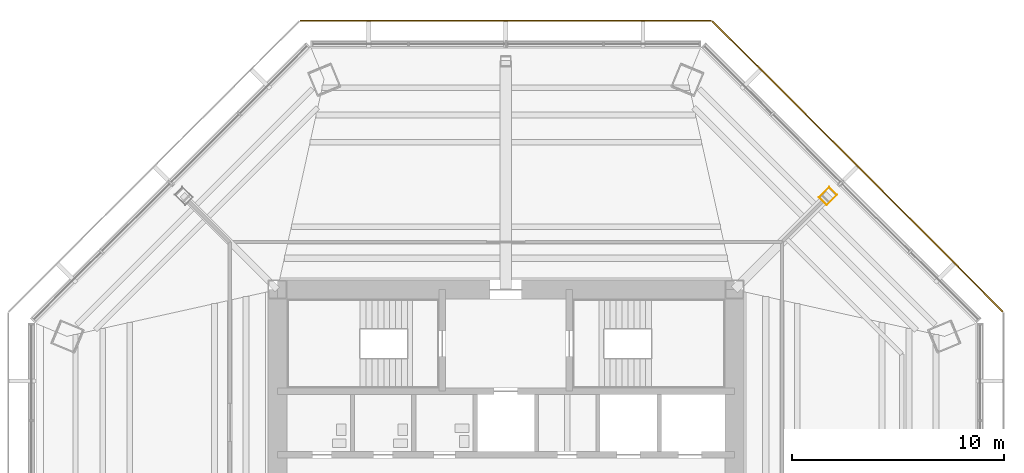
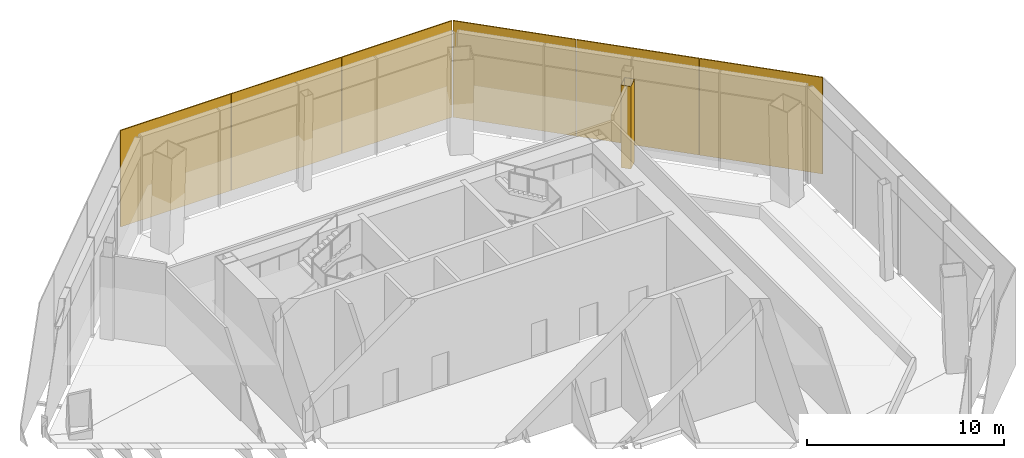
# One storey, part 11 of 13: 6 shading devices, 1 covering.
"""IFC4 building model written with IfcOpenShell, lengths in metres."""

from ifc_helpers import new_model, si_unit, direction, frame, origin, origin_2d, place, context, subcontext, project, spatial, polyline, rectangle, outline, extrude, source, transform, mapped, material, layer, layer_set, type_object, type_shapes, element, save


model = new_model("IFC4")

# Units and contexts
model_context = context("Model", 3, precision=1e-05, world=origin(), true_north=direction((0.0, 1.0)))
body_context = subcontext(model_context, "Body", "Model", "MODEL_VIEW")
ifc_project = project(units=[si_unit("LENGTHUNIT", "METRE"), si_unit("AREAUNIT", "SQUARE_METRE"), si_unit("VOLUMEUNIT", "CUBIC_METRE"), si_unit("PLANEANGLEUNIT", "RADIAN"), si_unit("MASSUNIT", "GRAM", prefix="KILO")], contexts=[model_context])

# Site, building, storey
site_placement = place(None, origin())
site = spatial("IfcSite", under=ifc_project, at=site_placement, CompositionType="ELEMENT")
building_placement = place(site_placement, origin())
building = spatial("IfcBuilding", under=site, at=building_placement, Name="Mashrafa Tower", CompositionType="ELEMENT")
storey_placement = place(building_placement, frame((0.0, 0.0, 198.0)))
storey = spatial("IfcBuildingStorey", under=building, at=storey_placement, Name="L45", CompositionType="ELEMENT", Elevation=198.0)

# Covering
ifc_material_1 = material(Name="Gypsum board")
ifc_layer_1 = layer(ifc_material_1, 0.014892578125)
ifc_layer_set_1 = layer_set([ifc_layer_1], Name="Column casing plasterboard 15")
covering_type = type_object("IfcCoveringType", Name="Column casing plasterboard 15", PredefinedType="CLADDING", material=ifc_layer_set_1)
covering_placement = place(storey_placement, origin())
element("IfcCovering", 1, at=covering_placement, inside=storey, type_object=covering_type, Name="Column casing L45-001", PredefinedType="CLADDING", context=body_context, shape_type="SweptSolid", body=[
    extrude(outline(polyline([(14.788330078125, 15.1630859375), (15.283203125, 15.657958984375), (15.657958984375, 15.283203125), (15.1630859375, 14.788330078125), (14.788330078125, 15.1630859375)]), holes=[polyline([(15.63671875, 15.283203125), (15.283203125, 15.63671875), (14.8095703125, 15.1630859375), (15.1630859375, 14.8095703125), (15.63671875, 15.283203125)])]), origin(), (0.0, 0.0, 1.0), 5.11181640625),
])

# Shading devices
ifc_material_2 = material(Name="Perforated aluminium plate, eight-point star pattern", Category="aluminium")
ifc_layer_2 = layer(ifc_material_2, 0.06005859375)
ifc_layer_set_2 = layer_set([ifc_layer_2], Name="Mashrabiya screen panel sky garden, 60 percent open")
shading_device_type = type_object("IfcShadingDeviceType", Name="Mashrabiya screen panel sky garden, 60 percent open", PredefinedType="SHUTTER", material=ifc_layer_set_2)
shared_shape = source(origin(), body_context, "Body", "SweptSolid", [
    extrude(rectangle(XDim=6.458251953125, YDim=0.06005859375, at=origin_2d()), origin(), (0.0, 0.0, 1.0), 5.97998046875),
])
type_shapes(shading_device_type, [shared_shape])
for number, where, z_axis, x_axis, name in (
    (2, (21.207275390625, 12.0458984375, -0.14990234375), (0.0, 0.0, 1.0), (-0.707106781187, 0.707106781187, 0.0), "Mashrabiya screen L45 north-east 1"),
    (3, (16.626708984375, 16.626708984375, -0.14990234375), (0.0, 0.0, 1.0), (-0.707106781187, 0.707106781187, 0.0), "Mashrabiya screen L45 north-east 2"),
    (4, (12.0458984375, 21.207275390625, -0.14990234375), (0.0, 0.0, 1.0), (-0.707106781187, 0.707106781187, 0.0), "Mashrabiya screen L45 north-east 3"),
    (5, (6.47802734375, 23.513671875, -0.14990234375), (0.0, 0.0, 1.0), (-1.0, 0.0, 0.0), "Mashrabiya screen L45 north 1"),
    (6, (0.0, 23.513671875, -0.14990234375), (0.0, 0.0, 1.0), (-1.0, 0.0, 0.0), "Mashrabiya screen L45 north 2"),
    (7, (-6.47802734375, 23.513671875, -0.14990234375), (0.0, 0.0, 1.0), (-1.0, 0.0, 0.0), "Mashrabiya screen L45 north 3"),
):
    element("IfcShadingDevice", number, at=place(storey_placement, frame(where, z_axis=z_axis, x_axis=x_axis)), inside=storey, type_object=shading_device_type, Name=name, PredefinedType="SHUTTER", context=body_context, shape_type="MappedRepresentation", body=[
        mapped(shared_shape, transform((0.0, 0.0, 0.0))),
    ])

save(model, "model.ifc")
